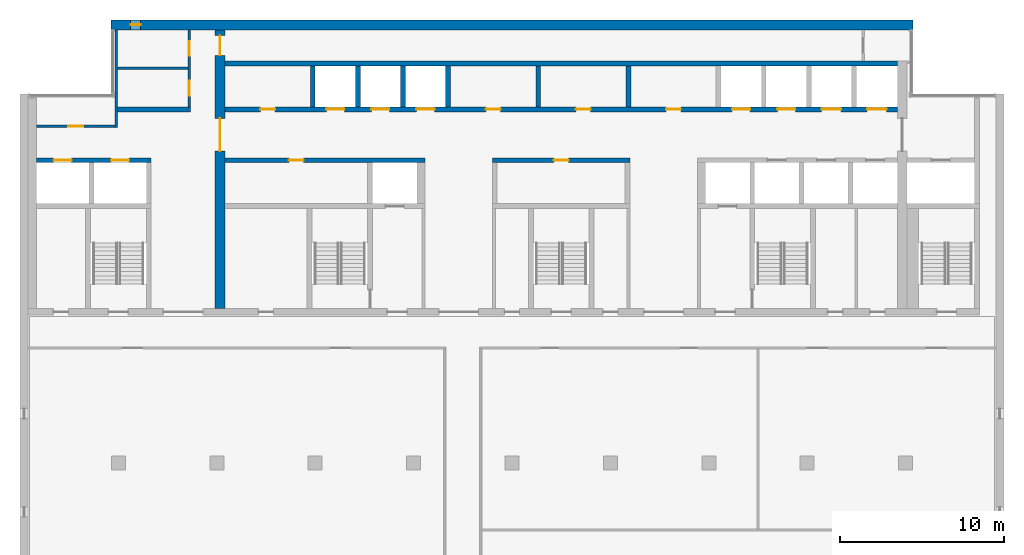
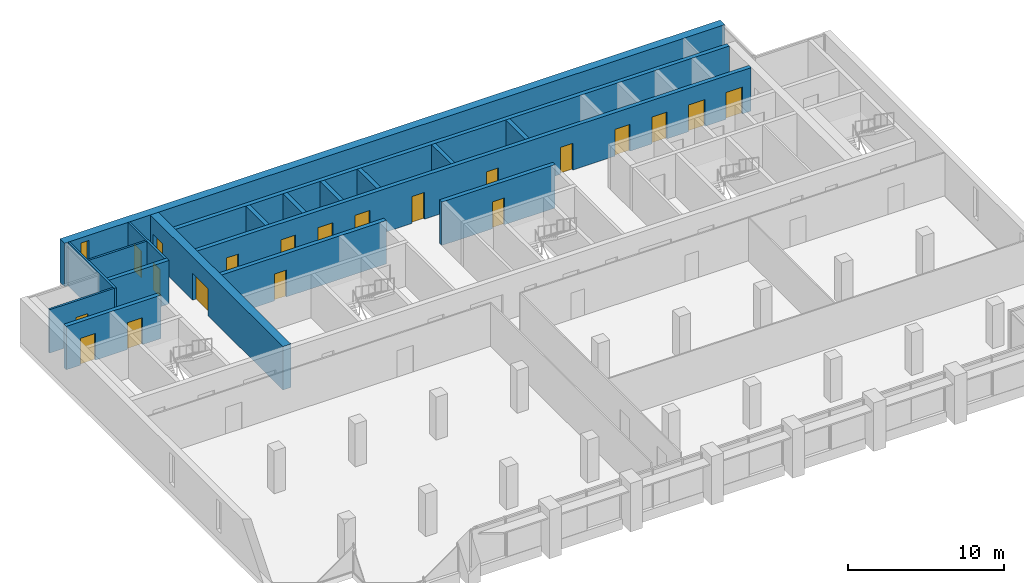
# One storey, part 10 of 14: 20 doors, 18 walls, 1 window, 21 openings.
"""IFC4 building model written with IfcOpenShell, lengths in metres."""

from ifc_helpers import new_model, si_unit, direction, frame, frame_2d, origin, place, context, subcontext, project, spatial, rectangle, extrude, material, layer, layer_set, type_object, element, fill, save


model = new_model("IFC4")

# Units and contexts
model_context = context("Model", 3, precision=1e-05, world=origin(), true_north=direction((0.0, 1.0)))
body_context = subcontext(model_context, "Body", "Model", "MODEL_VIEW")
ifc_project = project(units=[si_unit("LENGTHUNIT", "METRE"), si_unit("AREAUNIT", "SQUARE_METRE"), si_unit("VOLUMEUNIT", "CUBIC_METRE"), si_unit("PLANEANGLEUNIT", "RADIAN"), si_unit("MASSUNIT", "GRAM", prefix="KILO")], contexts=[model_context])

# Site, building, storey
site_placement = place(None, origin())
site = spatial("IfcSite", under=ifc_project, at=site_placement, CompositionType="ELEMENT")
building_placement = place(site_placement, origin())
building = spatial("IfcBuilding", under=site, at=building_placement, Name="Calvaro Tower", CompositionType="ELEMENT")
storey_placement = place(building_placement, frame((0.0, 0.0, 246.949951171875)))
storey = spatial("IfcBuildingStorey", under=building, at=storey_placement, Name="L62", CompositionType="ELEMENT", Elevation=246.949951171875)

# Wall
ifc_material_1 = material(Name="Blockwork partition", Category="masonry")
ifc_layer_1 = layer(ifc_material_1, 0.14990234375)
ifc_layer_set_1 = layer_set([ifc_layer_1], Name="Blockwork partition")
wall_type_1 = type_object("IfcWallType", Name="Core partition 150 EI 60", PredefinedType="PARTITIONING", material=ifc_layer_set_1)
wall_1_placement = place(storey_placement, frame((11.949951171875, 43.050048828125, 0.0), z_axis=(0.0, 0.0, 1.0), x_axis=(1.0, 0.0, 0.0)))
element("IfcWall", 1, at=wall_1_placement, inside=storey, type_object=wall_type_1, Name="Core partition", PredefinedType="PARTITIONING", context=body_context, shape_type="SweptSolid", body=[
    extrude(rectangle(XDim=4.300048828125, YDim=0.14990234375, at=frame_2d((2.14990234375, 0.0))), origin(), (0.0, 0.0, 1.0), 3.400146484375),
])

# Wall, openings, doors
ifc_material_2 = material(Name="Blockwork partition", Category="masonry")
ifc_layer_2 = layer(ifc_material_2, 0.14990234375)
ifc_layer_set_2 = layer_set([ifc_layer_2], Name="Blockwork partition")
wall_type_2 = type_object("IfcWallType", Name="Core partition 150 REI 120", PredefinedType="PARTITIONING", material=ifc_layer_set_2)
wall_2_placement = place(storey_placement, frame((16.324951171875, 45.39990234375, 0.0), z_axis=(0.0, 0.0, 1.0), x_axis=(0.0, -1.0, 0.0)))
wall_2 = element("IfcWall", 2, at=wall_2_placement, inside=storey, type_object=wall_type_2, Name="Core partition", PredefinedType="PARTITIONING", context=body_context, shape_type="SweptSolid", body=[
    extrude(rectangle(XDim=4.699951171875, YDim=0.14990234375, at=frame_2d((2.35009765625, 0.0))), origin(), (0.0, 0.0, 1.0), 3.400146484375),
])
opening_1_placement = place(wall_2_placement, frame((3.112548828125, 0.0, 0.0)))
opening_1 = element("IfcOpeningElement", 3, at=opening_1_placement, cuts=wall_2, Name="Opening RD9", PredefinedType="OPENING", context=body_context, shape_type="SweptSolid", body=[
    extrude(rectangle(XDim=0.89990234375, YDim=2.10009765625, at=frame_2d((0.449951171875, 1.050048828125))), frame((0.0, 0.0849609375, 0.0), z_axis=(0.0, -1.0, 0.0), x_axis=(1.0, 0.0, 0.0)), (0.0, 0.0, 1.0), 0.169921875),
])
opening_2_placement = place(wall_2_placement, frame((0.6875, 0.0, 0.0)))
opening_2 = element("IfcOpeningElement", 4, at=opening_2_placement, cuts=wall_2, Name="Opening RD9", PredefinedType="OPENING", context=body_context, shape_type="SweptSolid", body=[
    extrude(rectangle(XDim=0.89990234375, YDim=2.10009765625, at=frame_2d((0.449951171875, 1.050048828125))), frame((0.0, 0.0849609375, 0.0), z_axis=(0.0, -1.0, 0.0), x_axis=(1.0, 0.0, 0.0)), (0.0, 0.0, 1.0), 0.169921875),
])
ifc_material_3 = material(Name="Steel door set", Category="steel")
door_type_1 = type_object("IfcDoorType", Name="Room door 900", OperationType="SINGLE_SWING_LEFT", PredefinedType="DOOR", material=ifc_material_3)
door_1_placement = place(opening_1_placement, origin())
door_1 = element("IfcDoor", 5, at=door_1_placement, inside=storey, type_object=door_type_1, Name="Room door", OperationType="SINGLE_SWING_RIGHT", OverallHeight=2.10009765625, OverallWidth=0.89990234375, PredefinedType="DOOR", context=body_context, shape_type="SweptSolid", body=[
    extrude(rectangle(XDim=0.89990234375, YDim=2.10009765625, at=frame_2d((0.449951171875, 1.050048828125))), frame((0.0, 0.02490234375, 0.0), z_axis=(0.0, -1.0, 0.0), x_axis=(1.0, 0.0, 0.0)), (0.0, 0.0, 1.0), 0.050048828125),
])
fill(opening_1, door_1)
door_2_placement = place(opening_2_placement, origin())
door_2 = element("IfcDoor", 6, at=door_2_placement, inside=storey, type_object=door_type_1, Name="Room door", OperationType="SINGLE_SWING_LEFT", OverallHeight=2.10009765625, OverallWidth=0.89990234375, PredefinedType="DOOR", context=body_context, shape_type="SweptSolid", body=[
    extrude(rectangle(XDim=0.89990234375, YDim=2.10009765625, at=frame_2d((0.449951171875, 1.050048828125))), frame((0.0, 0.02490234375, 0.0), z_axis=(0.0, -1.0, 0.0), x_axis=(1.0, 0.0, 0.0)), (0.0, 0.0, 1.0), 0.050048828125),
])
fill(opening_2, door_2)

# Wall
wall_3_placement = place(storey_placement, frame((11.875, 39.449951171875, 0.0), z_axis=(0.0, 0.0, 1.0), x_axis=(0.0, 1.0, 0.0)))
element("IfcWall", 7, at=wall_3_placement, inside=storey, type_object=wall_type_2, Name="Core partition", PredefinedType="PARTITIONING", context=body_context, shape_type="SweptSolid", body=[
    extrude(rectangle(XDim=5.949951171875, YDim=0.14990234375, at=frame_2d((2.97509765625, 0.0))), origin(), (0.0, 0.0, 1.0), 3.400146484375),
])

# Wall, opening, door
wall_4_placement = place(storey_placement, frame((7.0, 39.52490234375, 0.0), z_axis=(0.0, 0.0, 1.0), x_axis=(1.0, 0.0, 0.0)))
wall_4 = element("IfcWall", 8, at=wall_4_placement, inside=storey, type_object=wall_type_2, Name="Core partition", PredefinedType="PARTITIONING", context=body_context, shape_type="SweptSolid", body=[
    extrude(rectangle(XDim=4.800048828125, YDim=0.14990234375, at=frame_2d((2.39990234375, 0.0))), origin(), (0.0, 0.0, 1.0), 3.400146484375),
])
opening_3_placement = place(wall_4_placement, frame((1.949951171875, 0.0, 0.0)))
opening_3 = element("IfcOpeningElement", 9, at=opening_3_placement, cuts=wall_4, Name="Opening RD9", PredefinedType="OPENING", context=body_context, shape_type="SweptSolid", body=[
    extrude(rectangle(XDim=0.89990234375, YDim=2.10009765625, at=frame_2d((0.449951171875, 1.050048828125))), frame((0.0, 0.0849609375, 0.0), z_axis=(0.0, -1.0, 0.0), x_axis=(1.0, 0.0, 0.0)), (0.0, 0.0, 1.0), 0.169921875),
])
door_3_placement = place(opening_3_placement, origin())
door_3 = element("IfcDoor", 10, at=door_3_placement, inside=storey, type_object=door_type_1, Name="Room door", OperationType="SINGLE_SWING_LEFT", OverallHeight=2.10009765625, OverallWidth=0.89990234375, PredefinedType="DOOR", context=body_context, shape_type="SweptSolid", body=[
    extrude(rectangle(XDim=0.89990234375, YDim=2.10009765625, at=frame_2d((0.449951171875, 1.050048828125))), frame((0.0, 0.02490234375, 0.0), z_axis=(0.0, -1.0, 0.0), x_axis=(1.0, 0.0, 0.0)), (0.0, 0.0, 1.0), 0.050048828125),
])
fill(opening_3, door_3)

# Walls
ifc_material_4 = material(Name="Blockwork partition", Category="masonry")
ifc_layer_3 = layer(ifc_material_4, 0.300048828125)
ifc_layer_set_3 = layer_set([ifc_layer_3], Name="Blockwork partition")
wall_type_3 = type_object("IfcWallType", Name="Core partition 300 EI 60", PredefinedType="PARTITIONING", material=ifc_layer_set_3)
wall_5_placement = place(storey_placement, frame((37.60009765625, 40.699951171875, 0.0), z_axis=(0.0, 0.0, 1.0), x_axis=(0.0, 1.0, 0.0)))
element("IfcWall", 11, at=wall_5_placement, inside=storey, type_object=wall_type_3, Name="Core partition", PredefinedType="PARTITIONING", context=body_context, shape_type="SweptSolid", body=[
    extrude(rectangle(XDim=2.5, YDim=0.300048828125, at=frame_2d((1.25, 0.0))), origin(), (0.0, 0.0, 1.0), 3.400146484375),
])
ifc_material_5 = material(Name="Blockwork partition", Category="masonry")
ifc_layer_4 = layer(ifc_material_5, 0.300048828125)
ifc_layer_set_4 = layer_set([ifc_layer_4], Name="Blockwork partition")
wall_type_4 = type_object("IfcWallType", Name="Core partition 300 REI 120", PredefinedType="PARTITIONING", material=ifc_layer_set_4)
wall_6_placement = place(storey_placement, frame((11.949951171875, 40.550048828125, 0.0), z_axis=(0.0, 0.0, 1.0), x_axis=(1.0, 0.0, 0.0)))
element("IfcWall", 12, at=wall_6_placement, inside=storey, type_object=wall_type_4, Name="Core partition", PredefinedType="PARTITIONING", context=body_context, shape_type="SweptSolid", body=[
    extrude(rectangle(XDim=4.449951171875, YDim=0.300048828125, at=frame_2d((2.22509765625, 0.0))), origin(), (0.0, 0.0, 1.0), 3.400146484375),
])
wall_7_placement = place(storey_placement, frame((43.10009765625, 40.699951171875, 0.0), z_axis=(0.0, 0.0, 1.0), x_axis=(0.0, 1.0, 0.0)))
element("IfcWall", 13, at=wall_7_placement, inside=storey, type_object=wall_type_4, Name="Core partition", PredefinedType="PARTITIONING", context=body_context, shape_type="SweptSolid", body=[
    extrude(rectangle(XDim=2.5, YDim=0.300048828125, at=frame_2d((1.25, 0.0))), origin(), (0.0, 0.0, 1.0), 3.400146484375),
])

# Wall, openings, doors
ifc_material_6 = material(Name="Concrete C40/50", Category="concrete")
ifc_layer_5 = layer(ifc_material_6, 0.300048828125)
ifc_layer_set_5 = layer_set([ifc_layer_5], Name="Concrete C40/50")
wall_type_5 = type_object("IfcWallType", Name="Core wall C40/50 300", PredefinedType="SHEAR", material=ifc_layer_set_5)
wall_8_placement = place(storey_placement, frame((7.0, 37.449951171875, 0.0), z_axis=(0.0, 0.0, 1.0), x_axis=(1.0, 0.0, 0.0)))
wall_8 = element("IfcWall", 14, at=wall_8_placement, inside=storey, type_object=wall_type_5, Name="Core wall, lift shaft", PredefinedType="SHEAR", context=body_context, shape_type="SweptSolid", body=[
    extrude(rectangle(XDim=7.0, YDim=0.300048828125, at=frame_2d((3.5, 0.0))), origin(), (0.0, 0.0, 1.0), 3.400146484375),
])
opening_4_placement = place(wall_8_placement, frame((1.050048828125, 0.0, 0.0)))
opening_4 = element("IfcOpeningElement", 15, at=opening_4_placement, cuts=wall_8, Name="Opening EX1", PredefinedType="OPENING", context=body_context, shape_type="SweptSolid", body=[
    extrude(rectangle(XDim=1.10009765625, YDim=2.10009765625, at=frame_2d((0.550048828125, 1.050048828125))), frame((0.0, 0.159912109375, 0.0), z_axis=(0.0, -1.0, 0.0), x_axis=(1.0, 0.0, 0.0)), (0.0, 0.0, 1.0), 0.320068359375),
])
opening_5_placement = place(wall_8_placement, frame((4.550048828125, 0.0, 0.0)))
opening_5 = element("IfcOpeningElement", 16, at=opening_5_placement, cuts=wall_8, Name="Opening EX2", PredefinedType="OPENING", context=body_context, shape_type="SweptSolid", body=[
    extrude(rectangle(XDim=1.10009765625, YDim=2.10009765625, at=frame_2d((0.550048828125, 1.050048828125))), frame((0.0, 0.159912109375, 0.0), z_axis=(0.0, -1.0, 0.0), x_axis=(1.0, 0.0, 0.0)), (0.0, 0.0, 1.0), 0.320068359375),
])
ifc_material_7 = material(Name="Stainless steel", Category="steel")
door_type_2 = type_object("IfcDoorType", Name="Landing door 1100 E 60", OperationType="SLIDING_TO_LEFT", PredefinedType="DOOR", material=ifc_material_7)
door_4_placement = place(opening_4_placement, origin())
door_4 = element("IfcDoor", 17, at=door_4_placement, inside=storey, type_object=door_type_2, Name="Landing door EX1", OperationType="SLIDING_TO_LEFT", OverallHeight=2.10009765625, OverallWidth=1.10009765625, PredefinedType="DOOR", context=body_context, shape_type="SweptSolid", body=[
    extrude(rectangle(XDim=1.10009765625, YDim=2.10009765625, at=frame_2d((0.550048828125, 1.050048828125))), frame((0.0, 0.02490234375, 0.0), z_axis=(0.0, -1.0, 0.0), x_axis=(1.0, 0.0, 0.0)), (0.0, 0.0, 1.0), 0.050048828125),
])
fill(opening_4, door_4)
door_5_placement = place(opening_5_placement, origin())
door_5 = element("IfcDoor", 18, at=door_5_placement, inside=storey, type_object=door_type_2, Name="Landing door EX2", OperationType="SLIDING_TO_LEFT", OverallHeight=2.10009765625, OverallWidth=1.10009765625, PredefinedType="DOOR", context=body_context, shape_type="SweptSolid", body=[
    extrude(rectangle(XDim=1.10009765625, YDim=2.10009765625, at=frame_2d((0.550048828125, 1.050048828125))), frame((0.0, 0.02490234375, 0.0), z_axis=(0.0, -1.0, 0.0), x_axis=(1.0, 0.0, 0.0)), (0.0, 0.0, 1.0), 0.050048828125),
])
fill(opening_5, door_5)

# Wall, opening, door
wall_9_placement = place(storey_placement, frame((30.699951171875, 37.449951171875, 0.0), z_axis=(0.0, 0.0, 1.0), x_axis=(-1.0, 0.0, 0.0)))
wall_9 = element("IfcWall", 19, at=wall_9_placement, inside=storey, type_object=wall_type_5, Name="Core wall, bay", PredefinedType="SHEAR", context=body_context, shape_type="SweptSolid", body=[
    extrude(rectangle(XDim=12.199951171875, YDim=0.300048828125, at=frame_2d((6.10009765625, 0.0))), origin(), (0.0, 0.0, 1.0), 3.400146484375),
])
opening_6_placement = place(wall_9_placement, frame((7.39990234375, 0.0, 0.0)))
opening_6 = element("IfcOpeningElement", 20, at=opening_6_placement, cuts=wall_9, Name="Opening RD9E", PredefinedType="OPENING", context=body_context, shape_type="SweptSolid", body=[
    extrude(rectangle(XDim=0.89990234375, YDim=2.10009765625, at=frame_2d((0.449951171875, 1.050048828125))), frame((0.0, 0.159912109375, 0.0), z_axis=(0.0, -1.0, 0.0), x_axis=(1.0, 0.0, 0.0)), (0.0, 0.0, 1.0), 0.320068359375),
])
ifc_material_8 = material(Name="Steel door set", Category="steel")
door_type_3 = type_object("IfcDoorType", Name="Room door 900 FD60", OperationType="SINGLE_SWING_LEFT", PredefinedType="DOOR", material=ifc_material_8)
door_6_placement = place(opening_6_placement, origin())
door_6 = element("IfcDoor", 21, at=door_6_placement, inside=storey, type_object=door_type_3, Name="Room door", OperationType="SINGLE_SWING_LEFT", OverallHeight=2.10009765625, OverallWidth=0.89990234375, PredefinedType="DOOR", context=body_context, shape_type="SweptSolid", body=[
    extrude(rectangle(XDim=0.89990234375, YDim=2.10009765625, at=frame_2d((0.449951171875, 1.050048828125))), frame((0.0, 0.02490234375, 0.0), z_axis=(0.0, -1.0, 0.0), x_axis=(1.0, 0.0, 0.0)), (0.0, 0.0, 1.0), 0.050048828125),
])
fill(opening_6, door_6)

wall_10_placement = place(storey_placement, frame((43.199951171875, 37.449951171875, 0.0), z_axis=(0.0, 0.0, 1.0), x_axis=(-1.0, 0.0, 0.0)))
wall_10 = element("IfcWall", 22, at=wall_10_placement, inside=storey, type_object=wall_type_5, Name="Core wall, bay", PredefinedType="SHEAR", context=body_context, shape_type="SweptSolid", body=[
    extrude(rectangle(XDim=8.39990234375, YDim=0.300048828125, at=frame_2d((4.199951171875, 0.0))), origin(), (0.0, 0.0, 1.0), 3.400146484375),
])
opening_7_placement = place(wall_10_placement, frame((3.75, 0.0, 0.0)))
opening_7 = element("IfcOpeningElement", 23, at=opening_7_placement, cuts=wall_10, Name="Opening RD9E", PredefinedType="OPENING", context=body_context, shape_type="SweptSolid", body=[
    extrude(rectangle(XDim=0.89990234375, YDim=2.10009765625, at=frame_2d((0.449951171875, 1.050048828125))), frame((0.0, 0.159912109375, 0.0), z_axis=(0.0, -1.0, 0.0), x_axis=(1.0, 0.0, 0.0)), (0.0, 0.0, 1.0), 0.320068359375),
])
door_7_placement = place(opening_7_placement, origin())
door_7 = element("IfcDoor", 24, at=door_7_placement, inside=storey, type_object=door_type_3, Name="Room door", OperationType="SINGLE_SWING_RIGHT", OverallHeight=2.10009765625, OverallWidth=0.89990234375, PredefinedType="DOOR", context=body_context, shape_type="SweptSolid", body=[
    extrude(rectangle(XDim=0.89990234375, YDim=2.10009765625, at=frame_2d((0.449951171875, 1.050048828125))), frame((0.0, 0.02490234375, 0.0), z_axis=(0.0, -1.0, 0.0), x_axis=(1.0, 0.0, 0.0)), (0.0, 0.0, 1.0), 0.050048828125),
])
fill(opening_7, door_7)

# Wall, openings, doors
wall_11_placement = place(storey_placement, frame((18.5, 40.550048828125, 0.0), z_axis=(0.0, 0.0, 1.0), x_axis=(1.0, 0.0, 0.0)))
wall_11 = element("IfcWall", 25, at=wall_11_placement, inside=storey, type_object=wall_type_5, Name="Core wall, bay", PredefinedType="SHEAR", context=body_context, shape_type="SweptSolid", body=[
    extrude(rectangle(XDim=41.0, YDim=0.300048828125, at=frame_2d((20.5, 0.0))), origin(), (0.0, 0.0, 1.0), 3.400146484375),
])
opening_8_placement = place(wall_11_placement, frame((2.14990234375, 0.0, 0.0)))
opening_8 = element("IfcOpeningElement", 26, at=opening_8_placement, cuts=wall_11, Name="Opening RD9E", PredefinedType="OPENING", context=body_context, shape_type="SweptSolid", body=[
    extrude(rectangle(XDim=0.89990234375, YDim=2.10009765625, at=frame_2d((0.449951171875, 1.050048828125))), frame((0.0, 0.159912109375, 0.0), z_axis=(0.0, -1.0, 0.0), x_axis=(1.0, 0.0, 0.0)), (0.0, 0.0, 1.0), 0.320068359375),
])
opening_9_placement = place(wall_11_placement, frame((15.89990234375, 0.0, 0.0)))
opening_9 = element("IfcOpeningElement", 27, at=opening_9_placement, cuts=wall_11, Name="Opening RD9E", PredefinedType="OPENING", context=body_context, shape_type="SweptSolid", body=[
    extrude(rectangle(XDim=0.89990234375, YDim=2.10009765625, at=frame_2d((0.449951171875, 1.050048828125))), frame((0.0, 0.159912109375, 0.0), z_axis=(0.0, -1.0, 0.0), x_axis=(1.0, 0.0, 0.0)), (0.0, 0.0, 1.0), 0.320068359375),
])
opening_10_placement = place(wall_11_placement, frame((21.39990234375, 0.0, 0.0)))
opening_10 = element("IfcOpeningElement", 28, at=opening_10_placement, cuts=wall_11, Name="Opening RD9E", PredefinedType="OPENING", context=body_context, shape_type="SweptSolid", body=[
    extrude(rectangle(XDim=0.89990234375, YDim=2.10009765625, at=frame_2d((0.449951171875, 1.050048828125))), frame((0.0, 0.159912109375, 0.0), z_axis=(0.0, -1.0, 0.0), x_axis=(1.0, 0.0, 0.0)), (0.0, 0.0, 1.0), 0.320068359375),
])
opening_11_placement = place(wall_11_placement, frame((26.89990234375, 0.0, 0.0)))
opening_11 = element("IfcOpeningElement", 29, at=opening_11_placement, cuts=wall_11, Name="Opening RD9E", PredefinedType="OPENING", context=body_context, shape_type="SweptSolid", body=[
    extrude(rectangle(XDim=0.89990234375, YDim=2.10009765625, at=frame_2d((0.449951171875, 1.050048828125))), frame((0.0, 0.159912109375, 0.0), z_axis=(0.0, -1.0, 0.0), x_axis=(1.0, 0.0, 0.0)), (0.0, 0.0, 1.0), 0.320068359375),
])
opening_12_placement = place(wall_11_placement, frame((6.175048828125, 0.0, 0.0)))
opening_12 = element("IfcOpeningElement", 30, at=opening_12_placement, cuts=wall_11, Name="Opening HR4", PredefinedType="OPENING", context=body_context, shape_type="SweptSolid", body=[
    extrude(rectangle(XDim=1.10009765625, YDim=2.10009765625, at=frame_2d((0.550048828125, 1.050048828125))), frame((0.0, 0.159912109375, 0.0), z_axis=(0.0, -1.0, 0.0), x_axis=(1.0, 0.0, 0.0)), (0.0, 0.0, 1.0), 0.320068359375),
])
opening_13_placement = place(wall_11_placement, frame((8.925048828125, 0.0, 0.0)))
opening_13 = element("IfcOpeningElement", 31, at=opening_13_placement, cuts=wall_11, Name="Opening HR5", PredefinedType="OPENING", context=body_context, shape_type="SweptSolid", body=[
    extrude(rectangle(XDim=1.10009765625, YDim=2.10009765625, at=frame_2d((0.550048828125, 1.050048828125))), frame((0.0, 0.159912109375, 0.0), z_axis=(0.0, -1.0, 0.0), x_axis=(1.0, 0.0, 0.0)), (0.0, 0.0, 1.0), 0.320068359375),
])
opening_14_placement = place(wall_11_placement, frame((11.675048828125, 0.0, 0.0)))
opening_14 = element("IfcOpeningElement", 32, at=opening_14_placement, cuts=wall_11, Name="Opening HR6", PredefinedType="OPENING", context=body_context, shape_type="SweptSolid", body=[
    extrude(rectangle(XDim=1.10009765625, YDim=2.10009765625, at=frame_2d((0.550048828125, 1.050048828125))), frame((0.0, 0.159912109375, 0.0), z_axis=(0.0, -1.0, 0.0), x_axis=(1.0, 0.0, 0.0)), (0.0, 0.0, 1.0), 0.320068359375),
])
opening_15_placement = place(wall_11_placement, frame((30.925048828125, 0.0, 0.0)))
opening_15 = element("IfcOpeningElement", 33, at=opening_15_placement, cuts=wall_11, Name="Opening HR7", PredefinedType="OPENING", context=body_context, shape_type="SweptSolid", body=[
    extrude(rectangle(XDim=1.10009765625, YDim=2.10009765625, at=frame_2d((0.550048828125, 1.050048828125))), frame((0.0, 0.159912109375, 0.0), z_axis=(0.0, -1.0, 0.0), x_axis=(1.0, 0.0, 0.0)), (0.0, 0.0, 1.0), 0.320068359375),
])
opening_16_placement = place(wall_11_placement, frame((33.675048828125, 0.0, 0.0)))
opening_16 = element("IfcOpeningElement", 34, at=opening_16_placement, cuts=wall_11, Name="Opening HR8", PredefinedType="OPENING", context=body_context, shape_type="SweptSolid", body=[
    extrude(rectangle(XDim=1.10009765625, YDim=2.10009765625, at=frame_2d((0.550048828125, 1.050048828125))), frame((0.0, 0.159912109375, 0.0), z_axis=(0.0, -1.0, 0.0), x_axis=(1.0, 0.0, 0.0)), (0.0, 0.0, 1.0), 0.320068359375),
])
opening_17_placement = place(wall_11_placement, frame((36.375, 0.0, 0.0)))
opening_17 = element("IfcOpeningElement", 35, at=opening_17_placement, cuts=wall_11, Name="Opening SV1", PredefinedType="OPENING", context=body_context, shape_type="SweptSolid", body=[
    extrude(rectangle(XDim=1.199951171875, YDim=2.10009765625, at=frame_2d((0.60009765625, 1.050048828125))), frame((0.0, 0.159912109375, 0.0), z_axis=(0.0, -1.0, 0.0), x_axis=(1.0, 0.0, 0.0)), (0.0, 0.0, 1.0), 0.320068359375),
])
opening_18_placement = place(wall_11_placement, frame((39.14990234375, 0.0, 0.0)))
opening_18 = element("IfcOpeningElement", 36, at=opening_18_placement, cuts=wall_11, Name="Opening SV2", PredefinedType="OPENING", context=body_context, shape_type="SweptSolid", body=[
    extrude(rectangle(XDim=1.199951171875, YDim=2.10009765625, at=frame_2d((0.60009765625, 1.050048828125))), frame((0.0, 0.159912109375, 0.0), z_axis=(0.0, -1.0, 0.0), x_axis=(1.0, 0.0, 0.0)), (0.0, 0.0, 1.0), 0.320068359375),
])
door_8_placement = place(opening_12_placement, origin())
door_8 = element("IfcDoor", 37, at=door_8_placement, inside=storey, type_object=door_type_2, Name="Landing door HR4", OperationType="SLIDING_TO_LEFT", OverallHeight=2.10009765625, OverallWidth=1.10009765625, PredefinedType="DOOR", context=body_context, shape_type="SweptSolid", body=[
    extrude(rectangle(XDim=1.10009765625, YDim=2.10009765625, at=frame_2d((0.550048828125, 1.050048828125))), frame((0.0, 0.02490234375, 0.0), z_axis=(0.0, -1.0, 0.0), x_axis=(1.0, 0.0, 0.0)), (0.0, 0.0, 1.0), 0.050048828125),
])
fill(opening_12, door_8)
door_9_placement = place(opening_13_placement, origin())
door_9 = element("IfcDoor", 38, at=door_9_placement, inside=storey, type_object=door_type_2, Name="Landing door HR5", OperationType="SLIDING_TO_LEFT", OverallHeight=2.10009765625, OverallWidth=1.10009765625, PredefinedType="DOOR", context=body_context, shape_type="SweptSolid", body=[
    extrude(rectangle(XDim=1.10009765625, YDim=2.10009765625, at=frame_2d((0.550048828125, 1.050048828125))), frame((0.0, 0.02490234375, 0.0), z_axis=(0.0, -1.0, 0.0), x_axis=(1.0, 0.0, 0.0)), (0.0, 0.0, 1.0), 0.050048828125),
])
fill(opening_13, door_9)
door_10_placement = place(opening_14_placement, origin())
door_10 = element("IfcDoor", 39, at=door_10_placement, inside=storey, type_object=door_type_2, Name="Landing door HR6", OperationType="SLIDING_TO_LEFT", OverallHeight=2.10009765625, OverallWidth=1.10009765625, PredefinedType="DOOR", context=body_context, shape_type="SweptSolid", body=[
    extrude(rectangle(XDim=1.10009765625, YDim=2.10009765625, at=frame_2d((0.550048828125, 1.050048828125))), frame((0.0, 0.02490234375, 0.0), z_axis=(0.0, -1.0, 0.0), x_axis=(1.0, 0.0, 0.0)), (0.0, 0.0, 1.0), 0.050048828125),
])
fill(opening_14, door_10)
door_11_placement = place(opening_15_placement, origin())
door_11 = element("IfcDoor", 40, at=door_11_placement, inside=storey, type_object=door_type_2, Name="Landing door HR7", OperationType="SLIDING_TO_LEFT", OverallHeight=2.10009765625, OverallWidth=1.10009765625, PredefinedType="DOOR", context=body_context, shape_type="SweptSolid", body=[
    extrude(rectangle(XDim=1.10009765625, YDim=2.10009765625, at=frame_2d((0.550048828125, 1.050048828125))), frame((0.0, 0.02490234375, 0.0), z_axis=(0.0, -1.0, 0.0), x_axis=(1.0, 0.0, 0.0)), (0.0, 0.0, 1.0), 0.050048828125),
])
fill(opening_15, door_11)
door_12_placement = place(opening_16_placement, origin())
door_12 = element("IfcDoor", 41, at=door_12_placement, inside=storey, type_object=door_type_2, Name="Landing door HR8", OperationType="SLIDING_TO_LEFT", OverallHeight=2.10009765625, OverallWidth=1.10009765625, PredefinedType="DOOR", context=body_context, shape_type="SweptSolid", body=[
    extrude(rectangle(XDim=1.10009765625, YDim=2.10009765625, at=frame_2d((0.550048828125, 1.050048828125))), frame((0.0, 0.02490234375, 0.0), z_axis=(0.0, -1.0, 0.0), x_axis=(1.0, 0.0, 0.0)), (0.0, 0.0, 1.0), 0.050048828125),
])
fill(opening_16, door_12)
ifc_material_9 = material(Name="Stainless steel", Category="steel")
door_type_4 = type_object("IfcDoorType", Name="Landing door 1200 E 60", OperationType="SLIDING_TO_LEFT", PredefinedType="DOOR", material=ifc_material_9)
door_13_placement = place(opening_17_placement, origin())
door_13 = element("IfcDoor", 42, at=door_13_placement, inside=storey, type_object=door_type_4, Name="Landing door SV1", OperationType="SLIDING_TO_LEFT", OverallHeight=2.10009765625, OverallWidth=1.199951171875, PredefinedType="DOOR", context=body_context, shape_type="SweptSolid", body=[
    extrude(rectangle(XDim=1.199951171875, YDim=2.10009765625, at=frame_2d((0.60009765625, 1.050048828125))), frame((0.0, 0.02490234375, 0.0), z_axis=(0.0, -1.0, 0.0), x_axis=(1.0, 0.0, 0.0)), (0.0, 0.0, 1.0), 0.050048828125),
])
fill(opening_17, door_13)
door_14_placement = place(opening_18_placement, origin())
door_14 = element("IfcDoor", 43, at=door_14_placement, inside=storey, type_object=door_type_4, Name="Landing door SV2", OperationType="SLIDING_TO_LEFT", OverallHeight=2.10009765625, OverallWidth=1.199951171875, PredefinedType="DOOR", context=body_context, shape_type="SweptSolid", body=[
    extrude(rectangle(XDim=1.199951171875, YDim=2.10009765625, at=frame_2d((0.60009765625, 1.050048828125))), frame((0.0, 0.02490234375, 0.0), z_axis=(0.0, -1.0, 0.0), x_axis=(1.0, 0.0, 0.0)), (0.0, 0.0, 1.0), 0.050048828125),
])
fill(opening_18, door_14)
door_15_placement = place(opening_8_placement, origin())
door_15 = element("IfcDoor", 44, at=door_15_placement, inside=storey, type_object=door_type_3, Name="Room door", OperationType="SINGLE_SWING_RIGHT", OverallHeight=2.10009765625, OverallWidth=0.89990234375, PredefinedType="DOOR", context=body_context, shape_type="SweptSolid", body=[
    extrude(rectangle(XDim=0.89990234375, YDim=2.10009765625, at=frame_2d((0.449951171875, 1.050048828125))), frame((0.0, 0.02490234375, 0.0), z_axis=(0.0, -1.0, 0.0), x_axis=(1.0, 0.0, 0.0)), (0.0, 0.0, 1.0), 0.050048828125),
])
fill(opening_8, door_15)
door_16_placement = place(opening_9_placement, origin())
door_16 = element("IfcDoor", 45, at=door_16_placement, inside=storey, type_object=door_type_3, Name="Room door", OperationType="SINGLE_SWING_LEFT", OverallHeight=2.10009765625, OverallWidth=0.89990234375, PredefinedType="DOOR", context=body_context, shape_type="SweptSolid", body=[
    extrude(rectangle(XDim=0.89990234375, YDim=2.10009765625, at=frame_2d((0.449951171875, 1.050048828125))), frame((0.0, 0.02490234375, 0.0), z_axis=(0.0, -1.0, 0.0), x_axis=(1.0, 0.0, 0.0)), (0.0, 0.0, 1.0), 0.050048828125),
])
fill(opening_9, door_16)
door_17_placement = place(opening_10_placement, origin())
door_17 = element("IfcDoor", 46, at=door_17_placement, inside=storey, type_object=door_type_3, Name="Room door", OperationType="SINGLE_SWING_LEFT", OverallHeight=2.10009765625, OverallWidth=0.89990234375, PredefinedType="DOOR", context=body_context, shape_type="SweptSolid", body=[
    extrude(rectangle(XDim=0.89990234375, YDim=2.10009765625, at=frame_2d((0.449951171875, 1.050048828125))), frame((0.0, 0.02490234375, 0.0), z_axis=(0.0, -1.0, 0.0), x_axis=(1.0, 0.0, 0.0)), (0.0, 0.0, 1.0), 0.050048828125),
])
fill(opening_10, door_17)
door_18_placement = place(opening_11_placement, origin())
door_18 = element("IfcDoor", 47, at=door_18_placement, inside=storey, type_object=door_type_3, Name="Room door", OperationType="SINGLE_SWING_LEFT", OverallHeight=2.10009765625, OverallWidth=0.89990234375, PredefinedType="DOOR", context=body_context, shape_type="SweptSolid", body=[
    extrude(rectangle(XDim=0.89990234375, YDim=2.10009765625, at=frame_2d((0.449951171875, 1.050048828125))), frame((0.0, 0.02490234375, 0.0), z_axis=(0.0, -1.0, 0.0), x_axis=(1.0, 0.0, 0.0)), (0.0, 0.0, 1.0), 0.050048828125),
])
fill(opening_11, door_18)

# Walls
wall_12_placement = place(storey_placement, frame((18.5, 43.35009765625, 0.0), z_axis=(0.0, 0.0, 1.0), x_axis=(1.0, 0.0, 0.0)))
element("IfcWall", 48, at=wall_12_placement, inside=storey, type_object=wall_type_5, Name="Core wall, lift shaft", PredefinedType="SHEAR", context=body_context, shape_type="SweptSolid", body=[
    extrude(rectangle(XDim=41.0, YDim=0.300048828125, at=frame_2d((20.5, 0.0))), origin(), (0.0, 0.0, 1.0), 3.400146484375),
])
for number, where, z_axis, x_axis, name in (
    (49, (23.85009765625, 40.699951171875, 0.0), (0.0, 0.0, 1.0), (0.0, 1.0, 0.0), "Core wall, lift shaft"),
    (50, (26.60009765625, 40.699951171875, 0.0), (0.0, 0.0, 1.0), (0.0, 1.0, 0.0), "Core wall, lift shaft"),
    (51, (29.35009765625, 40.699951171875, 0.0), (0.0, 0.0, 1.0), (0.0, 1.0, 0.0), "Core wall, lift shaft"),
    (52, (32.10009765625, 40.699951171875, 0.0), (0.0, 0.0, 1.0), (0.0, 1.0, 0.0), "Core wall, lift shaft"),
):
    element("IfcWall", number, at=place(storey_placement, frame(where, z_axis=z_axis, x_axis=x_axis)), inside=storey, type_object=wall_type_5, Name=name, PredefinedType="SHEAR", context=body_context, shape_type="SweptSolid", body=[
        extrude(rectangle(XDim=2.5, YDim=0.300048828125, at=frame_2d((1.25, 0.0))), origin(), (0.0, 0.0, 1.0), 3.400146484375),
    ])

# Wall, openings, doors
ifc_material_10 = material(Name="Concrete C40/50", Category="concrete")
ifc_layer_6 = layer(ifc_material_10, 0.60009765625)
ifc_layer_set_6 = layer_set([ifc_layer_6], Name="Concrete C40/50")
wall_type_6 = type_object("IfcWallType", Name="Core wall C40/50 600", PredefinedType="SHEAR", material=ifc_layer_set_6)
wall_13_placement = place(storey_placement, frame((18.199951171875, 28.39990234375, 0.0), z_axis=(0.0, 0.0, 1.0), x_axis=(0.0, 1.0, 0.0)))
wall_13 = element("IfcWall", 53, at=wall_13_placement, inside=storey, type_object=wall_type_6, Name="Core wall, cross shear wall", PredefinedType="SHEAR", context=body_context, shape_type="SweptSolid", body=[
    extrude(rectangle(XDim=17.0, YDim=0.60009765625, at=frame_2d((8.5, 0.0))), origin(), (0.0, 0.0, 1.0), 3.400146484375),
])
opening_19_placement = place(wall_13_placement, frame((9.60009765625, 0.0, 0.0)))
opening_19 = element("IfcOpeningElement", 54, at=opening_19_placement, cuts=wall_13, Name="Opening DD20D", PredefinedType="OPENING", context=body_context, shape_type="SweptSolid", body=[
    extrude(rectangle(XDim=2.0, YDim=2.10009765625, at=frame_2d((1.0, 1.050048828125))), frame((0.0, 0.31005859375, 0.0), z_axis=(0.0, -1.0, 0.0), x_axis=(1.0, 0.0, 0.0)), (0.0, 0.0, 1.0), 0.6201171875),
])
opening_20_placement = place(wall_13_placement, frame((15.449951171875, 0.0, 0.0)))
opening_20 = element("IfcOpeningElement", 55, at=opening_20_placement, cuts=wall_13, Name="Opening FD12C", PredefinedType="OPENING", context=body_context, shape_type="SweptSolid", body=[
    extrude(rectangle(XDim=1.199951171875, YDim=2.10009765625, at=frame_2d((0.60009765625, 1.050048828125))), frame((0.0, 0.31005859375, 0.0), z_axis=(0.0, -1.0, 0.0), x_axis=(1.0, 0.0, 0.0)), (0.0, 0.0, 1.0), 0.6201171875),
])
ifc_material_11 = material(Name="Steel door set", Category="steel")
door_type_5 = type_object("IfcDoorType", Name="Fire door 1200 FD30", OperationType="SINGLE_SWING_LEFT", PredefinedType="DOOR", material=ifc_material_11)
door_19_placement = place(opening_20_placement, origin())
door_19 = element("IfcDoor", 56, at=door_19_placement, inside=storey, type_object=door_type_5, Name="Fire door", OperationType="SINGLE_SWING_RIGHT", OverallHeight=2.10009765625, OverallWidth=1.199951171875, PredefinedType="DOOR", context=body_context, shape_type="SweptSolid", body=[
    extrude(rectangle(XDim=1.199951171875, YDim=2.10009765625, at=frame_2d((0.60009765625, 1.050048828125))), frame((0.0, 0.02490234375, 0.0), z_axis=(0.0, -1.0, 0.0), x_axis=(1.0, 0.0, 0.0)), (0.0, 0.0, 1.0), 0.050048828125),
])
fill(opening_20, door_19)
ifc_material_12 = material(Name="Steel door set", Category="steel")
door_type_6 = type_object("IfcDoorType", Name="Lobby double door 2000 FD30S", OperationType="DOUBLE_DOOR_SINGLE_SWING", PredefinedType="DOOR", material=ifc_material_12)
door_20_placement = place(opening_19_placement, origin())
door_20 = element("IfcDoor", 57, at=door_20_placement, inside=storey, type_object=door_type_6, Name="Lobby double door", OperationType="DOUBLE_DOOR_SINGLE_SWING", OverallHeight=2.10009765625, OverallWidth=2.0, PredefinedType="DOOR", context=body_context, shape_type="SweptSolid", body=[
    extrude(rectangle(XDim=2.0, YDim=2.10009765625, at=frame_2d((1.0, 1.050048828125))), frame((0.0, 0.02490234375, 0.0), z_axis=(0.0, -1.0, 0.0), x_axis=(1.0, 0.0, 0.0)), (0.0, 0.0, 1.0), 0.050048828125),
])
fill(opening_19, door_20)

# Wall, opening, window
ifc_material_13 = material(Name="Concrete C40/50", Category="concrete")
ifc_layer_7 = layer(ifc_material_13, 0.60009765625)
ifc_layer_set_7 = layer_set([ifc_layer_7], Name="Concrete C40/50")
wall_type_7 = type_object("IfcWallType", Name="Rear core wall 600 C40/50", PredefinedType="SHEAR", material=ifc_layer_set_7)
wall_14_placement = place(storey_placement, frame((11.550048828125, 45.699951171875, 0.0), z_axis=(0.0, 0.0, 1.0), x_axis=(1.0, 0.0, 0.0)))
wall_14 = element("IfcWall", 58, at=wall_14_placement, inside=storey, type_object=wall_type_7, Name="North core wall", PredefinedType="SHEAR", context=body_context, shape_type="SweptSolid", body=[
    extrude(rectangle(XDim=48.89990234375, YDim=0.60009765625, at=frame_2d((24.449951171875, 0.0))), origin(), (0.0, 0.0, 1.0), 3.400146484375),
])
opening_21_placement = place(wall_14_placement, frame((1.199951171875, 0.0, 0.60009765625)))
opening_21 = element("IfcOpeningElement", 59, at=opening_21_placement, cuts=wall_14, Name="Opening WN01", PredefinedType="OPENING", context=body_context, shape_type="SweptSolid", body=[
    extrude(rectangle(XDim=0.60009765625, YDim=2.39990234375, at=frame_2d((0.300048828125, 1.199951171875))), frame((0.0, 0.31005859375, 0.0), z_axis=(0.0, -1.0, 0.0), x_axis=(1.0, 0.0, 0.0)), (0.0, 0.0, 1.0), 0.6201171875),
])
ifc_material_14 = material(Name="Glass", Category="glass")
window_type = type_object("IfcWindowType", Name="Slit window 600 x 2400", PartitioningType="SINGLE_PANEL", PredefinedType="WINDOW", material=ifc_material_14)
window_placement = place(opening_21_placement, origin())
window = element("IfcWindow", 60, at=window_placement, inside=storey, type_object=window_type, Name="Window WN01", OverallHeight=2.39990234375, OverallWidth=0.60009765625, PartitioningType="SINGLE_PANEL", PredefinedType="WINDOW", context=body_context, shape_type="SweptSolid", body=[
    extrude(rectangle(XDim=0.60009765625, YDim=2.39990234375, at=frame_2d((0.300048828125, 1.199951171875))), frame((0.0, 0.030029296875, 0.0), z_axis=(0.0, -1.0, 0.0), x_axis=(1.0, 0.0, 0.0)), (0.0, 0.0, 1.0), 0.06005859375),
])
fill(opening_21, window)

save(model, "model.ifc")
